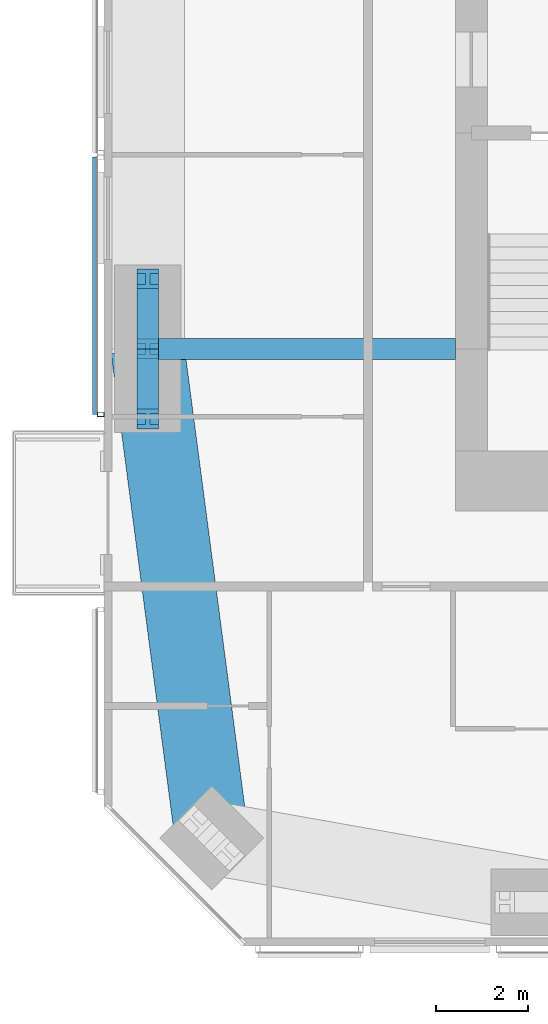
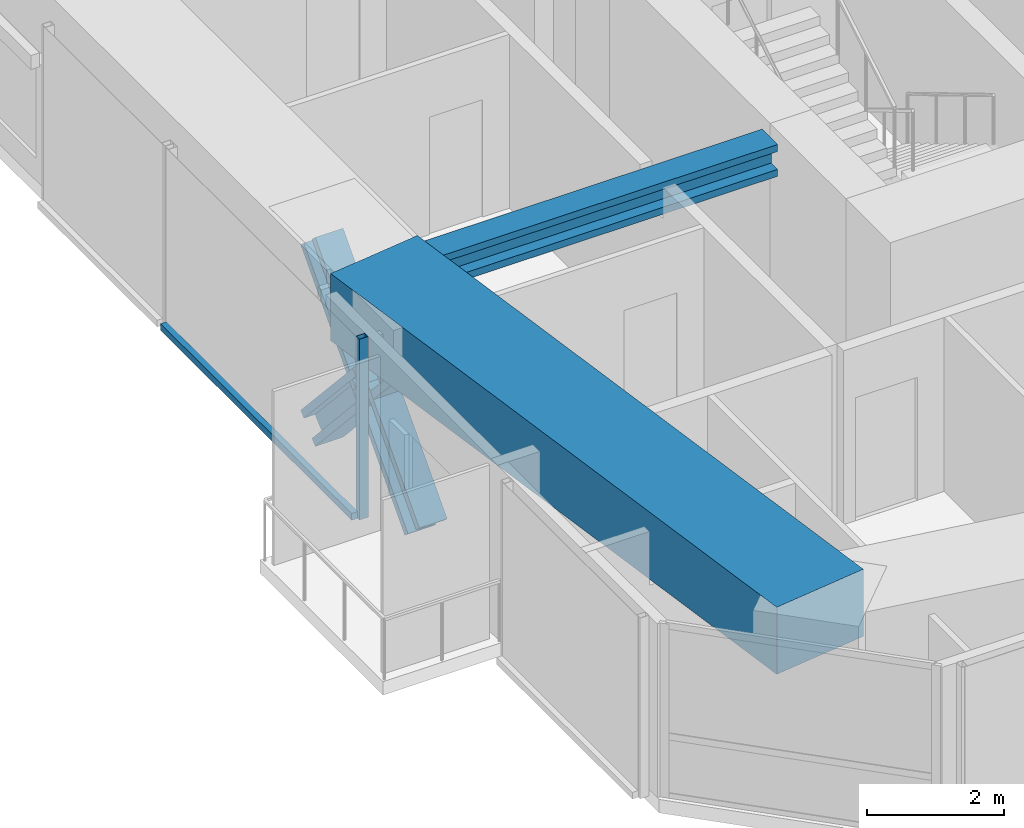
# One storey, part 3 of 23: 6 members, 2 beams, 1 element without a shape of its own.
"""IFC4 building model written with IfcOpenShell, lengths in metres."""

from ifc_helpers import new_model, si_unit, direction, frame, origin, origin_2d, place, context, subcontext, project, spatial, rectangle, hollow_rectangle, i_section, extrude, material, material_profile, profile_set, type_object, element, aggregate, save


model = new_model("IFC4")

# Units and contexts
model_context = context("Model", 3, precision=1e-05, world=origin(), true_north=direction((0.0, 1.0)))
body_context = subcontext(model_context, "Body", "Model", "MODEL_VIEW")
ifc_project = project(units=[si_unit("LENGTHUNIT", "METRE"), si_unit("AREAUNIT", "SQUARE_METRE"), si_unit("VOLUMEUNIT", "CUBIC_METRE"), si_unit("PLANEANGLEUNIT", "RADIAN"), si_unit("MASSUNIT", "GRAM", prefix="KILO")], contexts=[model_context])

# Site, building, storey
site_placement = place(None, origin())
site = spatial("IfcSite", under=ifc_project, at=site_placement, CompositionType="ELEMENT")
building_placement = place(site_placement, origin())
building = spatial("IfcBuilding", under=site, at=building_placement, Name="Jalousie Tower", CompositionType="ELEMENT")
storey_placement = place(building_placement, frame((0.0, 0.0, 184.5)))
storey = spatial("IfcBuildingStorey", under=building, at=storey_placement, Name="L50", CompositionType="ELEMENT", Elevation=184.5)

# Beam
ifc_material_1 = material(Name="Steel ASTM A992 Grade 50", Category="steel")
ifc_material_profile_1 = material_profile(ifc_material_1, i_section(OverallWidth=0.45458984375, OverallDepth=0.569091796875, WebThickness=0.077880859375, FlangeThickness=0.124755859375, at=origin_2d()), Name="W14X730")
ifc_profile_set_1 = profile_set([ifc_material_profile_1], Name="Steel ASTM A992 Grade 50")
beam_type_1 = type_object("IfcBeamType", Name="LEAN COLLECTOR W14X730", PredefinedType="BEAM", material=ifc_profile_set_1)
beam_1_placement = place(storey_placement, frame((12.949951171875, 13.0, 2.825439453125), z_axis=(1.0, 0.0, 0.0), x_axis=(0.0, 1.0, 0.0)))
element("IfcBeam", 1, at=beam_1_placement, inside=storey, type_object=beam_type_1, Name="Lean collector under L51", PredefinedType="BEAM", context=body_context, shape_type="SweptSolid", body=[
    extrude(i_section(OverallWidth=0.45458984375, OverallDepth=0.569091796875, WebThickness=0.077880859375, FlangeThickness=0.124755859375, at=origin_2d()), origin(), (0.0, 0.0, 1.0), 6.699951171875),
])

# Members
ifc_material_2 = material(Name="Steel ASTM A992 Grade 50", Category="steel")
ifc_material_profile_2 = material_profile(ifc_material_2, i_section(OverallWidth=0.472412109375, OverallDepth=0.5791015625, WebThickness=0.094970703125, FlangeThickness=0.1298828125, at=origin_2d()), Name="W14X808")
ifc_profile_set_2 = profile_set([ifc_material_profile_2], Name="Steel ASTM A992 Grade 50")
member_type_1 = type_object("IfcMemberType", Name="PERIMETER BRACE W14X808", PredefinedType="BRACE", material=ifc_profile_set_2)
for number, where, z_axis, x_axis, name in (
    (2, (12.949951171875, 11.47509765625, -0.60009765625), (0.0, 0.673187629365, 0.739471713908), (-1.0, 0.0, 0.0), "Perimeter brace 14 L50 part 1"),
    (3, (12.949951171875, 13.0, 1.074951171875), (0.0, 0.673187629365, 0.739471713908), (-1.0, 0.0, 0.0), "Perimeter brace 14 L50 part 2"),
    (4, (12.949951171875, 14.52490234375, -0.60009765625), (0.0, -0.673187629365, 0.739471713908), (1.0, 0.0, 0.0), "Perimeter brace 14 L50 part 3"),
    (5, (12.949951171875, 13.0, 1.074951171875), (0.0, -0.673187629365, 0.739471713908), (1.0, 0.0, 0.0), "Perimeter brace 14 L50 part 4"),
):
    element("IfcMember", number, at=place(storey_placement, frame(where, z_axis=z_axis, x_axis=x_axis)), inside=storey, type_object=member_type_1, Name=name, PredefinedType="BRACE", context=body_context, shape_type="SweptSolid", body=[
        extrude(i_section(OverallWidth=0.472412109375, OverallDepth=0.5791015625, WebThickness=0.094970703125, FlangeThickness=0.1298828125, at=origin_2d()), origin(), (0.0, 0.0, 1.0), 2.26513671875),
    ])

# Beam
ifc_material_3 = material(Name="Concrete f'c 40 MPa", Category="concrete")
ifc_material_profile_3 = material_profile(ifc_material_3, rectangle(XDim=1.60009765625, YDim=1.199951171875, at=origin_2d()), Name="RC 1600x1200")
ifc_profile_set_3 = profile_set([ifc_material_profile_3], Name="Concrete f'c 40 MPa")
beam_type_2 = type_object("IfcBeamType", Name="RC BEAM 1600x1200", PredefinedType="BEAM", material=ifc_profile_set_3)
beam_2_placement = place(storey_placement, frame((12.949951171875, 13.0, 2.75), z_axis=(0.130171745558, -0.991491460709, 0.0), x_axis=(0.991491460709, 0.130171745558, 0.0)))
element("IfcBeam", 6, at=beam_2_placement, inside=storey, type_object=beam_type_2, Name="Edge band beam 14-01 under L51", PredefinedType="BEAM", context=body_context, shape_type="SweptSolid", body=[
    extrude(rectangle(XDim=1.60009765625, YDim=1.199951171875, at=origin_2d()), origin(), (0.0, 0.0, 1.0), 10.742919921875),
])

# Curtain wall, members
ifc_material_4 = material(Name="Perforated aluminium sheet", Category="aluminium")
curtain_wall_type = type_object("IfcCurtainWallType", Name="SOLAR SCREEN SS-1", PredefinedType="USERDEFINED", material=ifc_material_4)
curtain_wall_placement = place(storey_placement, origin())
curtain_wall = element("IfcCurtainWall", 7, at=curtain_wall_placement, inside=storey, type_object=curtain_wall_type, Name="Solar screen L50", ObjectType="SOLAR SCREEN SS-1", PredefinedType="USERDEFINED")
ifc_material_5 = material(Name="Steel ASTM A500 Grade C", Category="steel")
ifc_material_profile_4 = material_profile(ifc_material_5, hollow_rectangle(XDim=0.1015625, YDim=0.15234375, WallThickness=0.00634765625, at=origin_2d()), Name="HSS6X4X1/4")
ifc_profile_set_4 = profile_set([ifc_material_profile_4], Name="Steel ASTM A500 Grade C")
member_type_2 = type_object("IfcMemberType", Name="SOLAR SCREEN SS-1 MULLION", PredefinedType="MULLION", material=ifc_profile_set_4)
member_1_placement = place(storey_placement, frame((11.9287109375, 11.574951171875, -0.1201171875), z_axis=(0.0, 0.0, 1.0), x_axis=(0.0, -1.0, 0.0)))
member_1 = element("IfcMember", 8, at=member_1_placement, type_object=member_type_2, Name="SS1 post 2", PredefinedType="MULLION", context=body_context, shape_type="SweptSolid", body=[
    extrude(hollow_rectangle(XDim=0.1015625, YDim=0.15234375, WallThickness=0.00634765625, at=origin_2d()), origin(), (0.0, 0.0, 1.0), 3.230224609375),
])
ifc_material_6 = material(Name="Extruded aluminium screen rail", Category="aluminium")
ifc_material_profile_5 = material_profile(ifc_material_6, rectangle(XDim=0.1015625, YDim=0.1201171875, at=origin_2d()), Name="RAIL 102x120")
ifc_profile_set_5 = profile_set([ifc_material_profile_5], Name="Extruded aluminium screen rail")
member_type_3 = type_object("IfcMemberType", Name="SOLAR SCREEN SS-1 TRANSOM", PredefinedType="USERDEFINED", material=ifc_profile_set_5)
member_2_placement = place(storey_placement, frame((11.8017578125, 17.175048828125, -0.06005859375), z_axis=(0.0, -1.0, 0.0), x_axis=(1.0, 0.0, 0.0)))
member_2 = element("IfcMember", 9, at=member_2_placement, type_object=member_type_3, Name="SS1 rail", ObjectType="TRANSOM", PredefinedType="USERDEFINED", context=body_context, shape_type="SweptSolid", body=[
    extrude(rectangle(XDim=0.1015625, YDim=0.1201171875, at=origin_2d()), origin(), (0.0, 0.0, 1.0), 5.60009765625),
])
aggregate(curtain_wall, [member_1, member_2])

save(model, "model.ifc")
